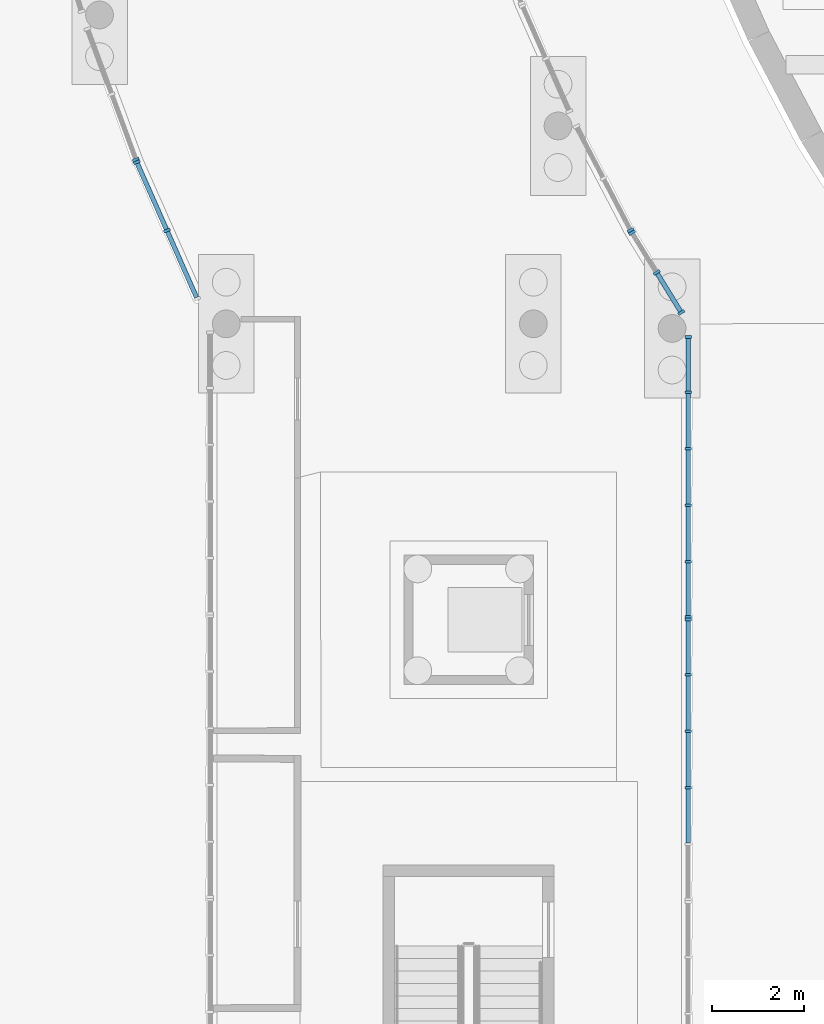
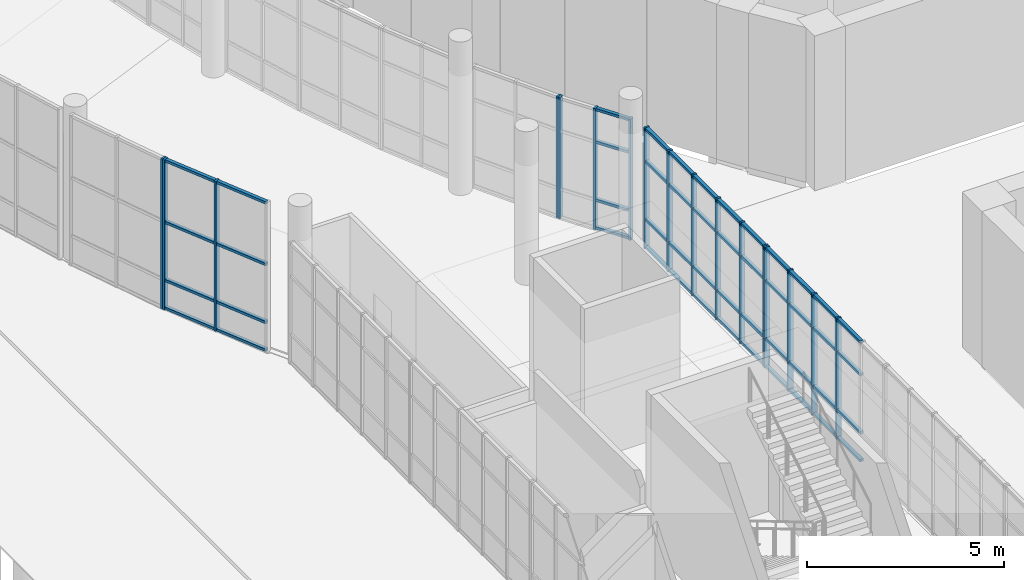
# One storey, part 15 of 110: 65 members, 6 elements without a shape of their own.
"""IFC4 building model written with IfcOpenShell, lengths in metres."""

from ifc_helpers import new_model, si_unit, direction, frame, origin, origin_2d, place, context, subcontext, project, spatial, rectangle, extrude, material, layer, layer_set, material_profile, profile_set, type_object, element, aggregate, save


model = new_model("IFC4")

# Units and contexts
model_context = context("Model", 3, precision=1e-05, world=origin(), true_north=direction((0.0, 1.0)))
body_context = subcontext(model_context, "Body", "Model", "MODEL_VIEW")
ifc_project = project(units=[si_unit("LENGTHUNIT", "METRE"), si_unit("AREAUNIT", "SQUARE_METRE"), si_unit("VOLUMEUNIT", "CUBIC_METRE"), si_unit("PLANEANGLEUNIT", "RADIAN"), si_unit("MASSUNIT", "GRAM", prefix="KILO")], contexts=[model_context])

# Site, building, storey
site_placement = place(None, origin())
site = spatial("IfcSite", under=ifc_project, at=site_placement, CompositionType="ELEMENT")
building_placement = place(site_placement, origin())
building = spatial("IfcBuilding", under=site, at=building_placement, Name="Larchfold Concert Hall", CompositionType="ELEMENT")
storey_placement = place(building_placement, origin())
storey = spatial("IfcBuildingStorey", under=building, at=storey_placement, Name="L00", CompositionType="ELEMENT", Elevation=0.0)

# Curtain wall, members
ifc_material_1 = material(Name="Anodised graphite aluminium curtain wall", Category="aluminium")
ifc_layer = layer(ifc_material_1, 0.14990234375)
ifc_layer_set = layer_set([ifc_layer], Name="Anodised graphite aluminium curtain wall")
curtain_wall_type = type_object("IfcCurtainWallType", Name="Curtain wall WG", PredefinedType="NOTDEFINED", material=ifc_layer_set)
curtain_wall_1_placement = place(storey_placement, origin())
curtain_wall_1 = element("IfcCurtainWall", 1, at=curtain_wall_1_placement, inside=storey, type_object=curtain_wall_type, Name="Curtain wall CW0061", PredefinedType="NOTDEFINED")
ifc_material_2 = material(Name="Anodised graphite aluminium mullion", Category="aluminium")
ifc_material_profile_1 = material_profile(ifc_material_2, rectangle(XDim=0.14990234375, YDim=0.06005859375, at=origin_2d()))
ifc_profile_set_1 = profile_set([ifc_material_profile_1], Name="Anodised graphite aluminium mullion")
member_type_1 = type_object("IfcMemberType", Name="Aluminium mullion 60x150", PredefinedType="MULLION", material=ifc_profile_set_1)
member_1_placement = place(storey_placement, frame((20.59765625, 59.64599609375, 0.0), z_axis=(0.0, 0.0, 1.0), x_axis=(-0.851674367978, -0.52407134145, 0.0)))
member_1 = element("IfcMember", 2, at=member_1_placement, type_object=member_type_1, Name="CW0061 mullion 1", PredefinedType="MULLION", context=body_context, shape_type="SweptSolid", body=[
    extrude(rectangle(XDim=0.14990234375, YDim=0.06005859375, at=origin_2d()), origin(), (0.0, 0.0, 1.0), 3.75),
])
member_2_placement = place(storey_placement, frame((20.06591796875, 60.509765625, 0.0), z_axis=(0.0, 0.0, 1.0), x_axis=(-0.851674367978, -0.52407134145, 0.0)))
member_2 = element("IfcMember", 3, at=member_2_placement, type_object=member_type_1, Name="CW0061 mullion 2", PredefinedType="MULLION", context=body_context, shape_type="SweptSolid", body=[
    extrude(rectangle(XDim=0.14990234375, YDim=0.06005859375, at=origin_2d()), origin(), (0.0, 0.0, 1.0), 3.75),
])
member_3_placement = place(storey_placement, frame((19.5341796875, 61.373779296875, 0.0), z_axis=(0.0, 0.0, 1.0), x_axis=(-0.851674367978, -0.52407134145, 0.0)))
member_3 = element("IfcMember", 4, at=member_3_placement, type_object=member_type_1, Name="CW0061 mullion 3", PredefinedType="MULLION", context=body_context, shape_type="SweptSolid", body=[
    extrude(rectangle(XDim=0.14990234375, YDim=0.06005859375, at=origin_2d()), origin(), (0.0, 0.0, 1.0), 3.75),
])

# Curtain wall, member
curtain_wall_2_placement = place(storey_placement, origin())
curtain_wall_2 = element("IfcCurtainWall", 5, at=curtain_wall_2_placement, inside=storey, type_object=curtain_wall_type, Name="Curtain wall CW0062", PredefinedType="NOTDEFINED")
member_4_placement = place(storey_placement, frame((19.504638671875, 61.426025390625, 0.0), z_axis=(0.0, 0.0, 1.0), x_axis=(-0.886258835455, -0.463190324357, 0.0)))
member_4 = element("IfcMember", 6, at=member_4_placement, type_object=member_type_1, Name="CW0062 mullion 1", PredefinedType="MULLION", context=body_context, shape_type="SweptSolid", body=[
    extrude(rectangle(XDim=0.14990234375, YDim=0.06005859375, at=origin_2d()), origin(), (0.0, 0.0, 1.0), 3.75),
])
aggregate(curtain_wall_2, [member_4])

curtain_wall_3_placement = place(storey_placement, origin())
curtain_wall_3 = element("IfcCurtainWall", 7, at=curtain_wall_3_placement, inside=storey, type_object=curtain_wall_type, Name="Curtain wall CW0125", PredefinedType="NOTDEFINED")
member_5_placement = place(storey_placement, frame((8.80029296875, 62.95068359375, 0.0), z_axis=(0.0, 0.0, 1.0), x_axis=(0.938015834921, 0.346592402451, 0.0)))
member_5 = element("IfcMember", 8, at=member_5_placement, type_object=member_type_1, Name="CW0125 mullion 3", PredefinedType="MULLION", context=body_context, shape_type="SweptSolid", body=[
    extrude(rectangle(XDim=0.14990234375, YDim=0.06005859375, at=origin_2d()), origin(), (0.0, 0.0, 1.0), 4.64990234375),
])
aggregate(curtain_wall_3, [member_5])

# Curtain wall, members
curtain_wall_4_placement = place(storey_placement, origin())
curtain_wall_4 = element("IfcCurtainWall", 9, at=curtain_wall_4_placement, inside=storey, type_object=curtain_wall_type, Name="Curtain wall CW0126", PredefinedType="NOTDEFINED")
member_6_placement = place(storey_placement, frame((8.822998046875, 62.895263671875, 0.0), z_axis=(0.0, 0.0, 1.0), x_axis=(0.914703196701, 0.404126294549, 0.0)))
member_6 = element("IfcMember", 10, at=member_6_placement, type_object=member_type_1, Name="CW0126 mullion 1", PredefinedType="MULLION", context=body_context, shape_type="SweptSolid", body=[
    extrude(rectangle(XDim=0.14990234375, YDim=0.06005859375, at=origin_2d()), origin(), (0.0, 0.0, 1.0), 4.64990234375),
])
member_7_placement = place(storey_placement, frame((9.475341796875, 61.41845703125, 0.0), z_axis=(0.0, 0.0, 1.0), x_axis=(0.914703196701, 0.404126294549, 0.0)))
member_7 = element("IfcMember", 11, at=member_7_placement, type_object=member_type_1, Name="CW0126 mullion 2", PredefinedType="MULLION", context=body_context, shape_type="SweptSolid", body=[
    extrude(rectangle(XDim=0.14990234375, YDim=0.06005859375, at=origin_2d()), origin(), (0.0, 0.0, 1.0), 4.64990234375),
])

curtain_wall_5_placement = place(storey_placement, origin())
curtain_wall_5 = element("IfcCurtainWall", 12, at=curtain_wall_5_placement, inside=storey, type_object=curtain_wall_type, Name="Curtain wall CW0135", PredefinedType="NOTDEFINED")
member_8_placement = place(storey_placement, frame((20.748779296875, 49.368896484375, 0.0), z_axis=(0.0, 0.0, 1.0), x_axis=(-1.0, 0.0, 0.0)))
member_8 = element("IfcMember", 13, at=member_8_placement, type_object=member_type_1, Name="CW0135 mullion 3", PredefinedType="MULLION", context=body_context, shape_type="SweptSolid", body=[
    extrude(rectangle(XDim=0.14990234375, YDim=0.06005859375, at=origin_2d()), origin(), (0.0, 0.0, 1.0), 3.75),
])
member_9_placement = place(storey_placement, frame((20.748779296875, 50.5908203125, 0.0), z_axis=(0.0, 0.0, 1.0), x_axis=(-1.0, 0.0, 0.0)))
member_9 = element("IfcMember", 14, at=member_9_placement, type_object=member_type_1, Name="CW0135 mullion 4", PredefinedType="MULLION", context=body_context, shape_type="SweptSolid", body=[
    extrude(rectangle(XDim=0.14990234375, YDim=0.06005859375, at=origin_2d()), origin(), (0.0, 0.0, 1.0), 3.75),
])
member_10_placement = place(storey_placement, frame((20.748779296875, 51.8125, 0.0), z_axis=(0.0, 0.0, 1.0), x_axis=(-1.0, 0.0, 0.0)))
member_10 = element("IfcMember", 15, at=member_10_placement, type_object=member_type_1, Name="CW0135 mullion 5", PredefinedType="MULLION", context=body_context, shape_type="SweptSolid", body=[
    extrude(rectangle(XDim=0.14990234375, YDim=0.06005859375, at=origin_2d()), origin(), (0.0, 0.0, 1.0), 3.75),
])
member_11_placement = place(storey_placement, frame((20.748779296875, 53.004150390625, 0.0), z_axis=(0.0, 0.0, 1.0), x_axis=(-1.0, 0.0, 0.0)))
member_11 = element("IfcMember", 16, at=member_11_placement, type_object=member_type_1, Name="CW0135 mullion 6", PredefinedType="MULLION", context=body_context, shape_type="SweptSolid", body=[
    extrude(rectangle(XDim=0.14990234375, YDim=0.06005859375, at=origin_2d()), origin(), (0.0, 0.0, 1.0), 3.75),
])

curtain_wall_6_placement = place(storey_placement, origin())
curtain_wall_6 = element("IfcCurtainWall", 17, at=curtain_wall_6_placement, inside=storey, type_object=curtain_wall_type, Name="Curtain wall CW0136", PredefinedType="NOTDEFINED")
member_12_placement = place(storey_placement, frame((20.748779296875, 53.064208984375, 0.0), z_axis=(0.0, 0.0, 1.0), x_axis=(-1.0, 0.0, 0.0)))
member_12 = element("IfcMember", 18, at=member_12_placement, type_object=member_type_1, Name="CW0136 mullion 1", PredefinedType="MULLION", context=body_context, shape_type="SweptSolid", body=[
    extrude(rectangle(XDim=0.14990234375, YDim=0.06005859375, at=origin_2d()), origin(), (0.0, 0.0, 1.0), 3.75),
])
member_13_placement = place(storey_placement, frame((20.748779296875, 54.255859375, 0.0), z_axis=(0.0, 0.0, 1.0), x_axis=(-1.0, 0.0, 0.0)))
member_13 = element("IfcMember", 19, at=member_13_placement, type_object=member_type_1, Name="CW0136 mullion 2", PredefinedType="MULLION", context=body_context, shape_type="SweptSolid", body=[
    extrude(rectangle(XDim=0.14990234375, YDim=0.06005859375, at=origin_2d()), origin(), (0.0, 0.0, 1.0), 3.75),
])
member_14_placement = place(storey_placement, frame((20.748779296875, 55.477783203125, 0.0), z_axis=(0.0, 0.0, 1.0), x_axis=(-1.0, 0.0, 0.0)))
member_14 = element("IfcMember", 20, at=member_14_placement, type_object=member_type_1, Name="CW0136 mullion 3", PredefinedType="MULLION", context=body_context, shape_type="SweptSolid", body=[
    extrude(rectangle(XDim=0.14990234375, YDim=0.06005859375, at=origin_2d()), origin(), (0.0, 0.0, 1.0), 3.75),
])
member_15_placement = place(storey_placement, frame((20.748779296875, 56.699462890625, 0.0), z_axis=(0.0, 0.0, 1.0), x_axis=(-1.0, 0.0, 0.0)))
member_15 = element("IfcMember", 21, at=member_15_placement, type_object=member_type_1, Name="CW0136 mullion 4", PredefinedType="MULLION", context=body_context, shape_type="SweptSolid", body=[
    extrude(rectangle(XDim=0.14990234375, YDim=0.06005859375, at=origin_2d()), origin(), (0.0, 0.0, 1.0), 3.75),
])
member_16_placement = place(storey_placement, frame((20.748779296875, 57.92138671875, 0.0), z_axis=(0.0, 0.0, 1.0), x_axis=(-1.0, 0.0, 0.0)))
member_16 = element("IfcMember", 22, at=member_16_placement, type_object=member_type_1, Name="CW0136 mullion 5", PredefinedType="MULLION", context=body_context, shape_type="SweptSolid", body=[
    extrude(rectangle(XDim=0.14990234375, YDim=0.06005859375, at=origin_2d()), origin(), (0.0, 0.0, 1.0), 3.75),
])
member_17_placement = place(storey_placement, frame((20.748779296875, 59.113037109375, 0.0), z_axis=(0.0, 0.0, 1.0), x_axis=(-1.0, 0.0, 0.0)))
member_17 = element("IfcMember", 23, at=member_17_placement, type_object=member_type_1, Name="CW0136 mullion 6", PredefinedType="MULLION", context=body_context, shape_type="SweptSolid", body=[
    extrude(rectangle(XDim=0.14990234375, YDim=0.06005859375, at=origin_2d()), origin(), (0.0, 0.0, 1.0), 3.75),
])

# Member
ifc_material_3 = material(Name="Anodised graphite aluminium transom", Category="aluminium")
ifc_material_profile_2 = material_profile(ifc_material_3, rectangle(XDim=0.10009765625, YDim=0.080078125, at=origin_2d()))
ifc_profile_set_2 = profile_set([ifc_material_profile_2], Name="Anodised graphite aluminium transom")
member_type_2 = type_object("IfcMemberType", Name="Aluminium transom 80x100", PredefinedType="USERDEFINED", material=ifc_profile_set_2)
member_18_placement = place(storey_placement, frame((20.581787109375, 59.67138671875, 0.0400390625), z_axis=(-0.524054615194, 0.851684660126, 0.0), x_axis=(-0.851684660126, -0.524054615194, 0.0)))
member_18 = element("IfcMember", 24, at=member_18_placement, type_object=member_type_2, Name="CW0061 transom 1.1", ObjectType="TRANSOM", PredefinedType="USERDEFINED", context=body_context, shape_type="SweptSolid", body=[
    extrude(rectangle(XDim=0.10009765625, YDim=0.080078125, at=origin_2d()), origin(), (0.0, 0.0, 1.0), 0.95458984375),
])

member_19_placement = place(storey_placement, frame((20.581787109375, 59.67138671875, 0.89990234375), z_axis=(-0.524054615194, 0.851684660126, 0.0), x_axis=(-0.851684660126, -0.524054615194, 0.0)))
member_19 = element("IfcMember", 25, at=member_19_placement, type_object=member_type_2, Name="CW0061 transom 1.2", ObjectType="TRANSOM", PredefinedType="USERDEFINED", context=body_context, shape_type="SweptSolid", body=[
    extrude(rectangle(XDim=0.10009765625, YDim=0.080078125, at=origin_2d()), origin(), (0.0, 0.0, 1.0), 0.95458984375),
])

member_20_placement = place(storey_placement, frame((20.581787109375, 59.67138671875, 2.699951171875), z_axis=(-0.524054615194, 0.851684660126, 0.0), x_axis=(-0.851684660126, -0.524054615194, 0.0)))
member_20 = element("IfcMember", 26, at=member_20_placement, type_object=member_type_2, Name="CW0061 transom 1.3", ObjectType="TRANSOM", PredefinedType="USERDEFINED", context=body_context, shape_type="SweptSolid", body=[
    extrude(rectangle(XDim=0.10009765625, YDim=0.080078125, at=origin_2d()), origin(), (0.0, 0.0, 1.0), 0.95458984375),
])

member_21_placement = place(storey_placement, frame((20.581787109375, 59.67138671875, 3.7099609375), z_axis=(-0.524054615194, 0.851684660126, 0.0), x_axis=(-0.851684660126, -0.524054615194, 0.0)))
member_21 = element("IfcMember", 27, at=member_21_placement, type_object=member_type_2, Name="CW0061 transom 1.4", ObjectType="TRANSOM", PredefinedType="USERDEFINED", context=body_context, shape_type="SweptSolid", body=[
    extrude(rectangle(XDim=0.10009765625, YDim=0.080078125, at=origin_2d()), origin(), (0.0, 0.0, 1.0), 0.95458984375),
])

aggregate(curtain_wall_1, [member_1, member_2, member_3, member_18, member_19, member_20, member_21])

member_22_placement = place(storey_placement, frame((8.8349609375, 62.86767578125, 0.0400390625), z_axis=(0.404111897501, -0.914709557345, 0.0), x_axis=(0.914709557345, 0.404111897501, 0.0)))
member_22 = element("IfcMember", 28, at=member_22_placement, type_object=member_type_2, Name="CW0126 transom 1.1", ObjectType="TRANSOM", PredefinedType="USERDEFINED", context=body_context, shape_type="SweptSolid", body=[
    extrude(rectangle(XDim=0.10009765625, YDim=0.080078125, at=origin_2d()), origin(), (0.0, 0.0, 1.0), 1.554443359375),
])

member_23_placement = place(storey_placement, frame((8.8349609375, 62.86767578125, 0.89990234375), z_axis=(0.404111897501, -0.914709557345, 0.0), x_axis=(0.914709557345, 0.404111897501, 0.0)))
member_23 = element("IfcMember", 29, at=member_23_placement, type_object=member_type_2, Name="CW0126 transom 1.2", ObjectType="TRANSOM", PredefinedType="USERDEFINED", context=body_context, shape_type="SweptSolid", body=[
    extrude(rectangle(XDim=0.10009765625, YDim=0.080078125, at=origin_2d()), origin(), (0.0, 0.0, 1.0), 1.554443359375),
])

member_24_placement = place(storey_placement, frame((8.8349609375, 62.86767578125, 2.699951171875), z_axis=(0.404111897501, -0.914709557345, 0.0), x_axis=(0.914709557345, 0.404111897501, 0.0)))
member_24 = element("IfcMember", 30, at=member_24_placement, type_object=member_type_2, Name="CW0126 transom 1.3", ObjectType="TRANSOM", PredefinedType="USERDEFINED", context=body_context, shape_type="SweptSolid", body=[
    extrude(rectangle(XDim=0.10009765625, YDim=0.080078125, at=origin_2d()), origin(), (0.0, 0.0, 1.0), 1.554443359375),
])

member_25_placement = place(storey_placement, frame((8.8349609375, 62.86767578125, 4.60986328125), z_axis=(0.404111897501, -0.914709557345, 0.0), x_axis=(0.914709557345, 0.404111897501, 0.0)))
member_25 = element("IfcMember", 31, at=member_25_placement, type_object=member_type_2, Name="CW0126 transom 1.4", ObjectType="TRANSOM", PredefinedType="USERDEFINED", context=body_context, shape_type="SweptSolid", body=[
    extrude(rectangle(XDim=0.10009765625, YDim=0.080078125, at=origin_2d()), origin(), (0.0, 0.0, 1.0), 1.554443359375),
])

member_26_placement = place(storey_placement, frame((9.487548828125, 61.39111328125, 0.0400390625), z_axis=(0.404111897501, -0.914709557345, 0.0), x_axis=(0.914709557345, 0.404111897501, 0.0)))
member_26 = element("IfcMember", 32, at=member_26_placement, type_object=member_type_2, Name="CW0126 transom 2.1", ObjectType="TRANSOM", PredefinedType="USERDEFINED", context=body_context, shape_type="SweptSolid", body=[
    extrude(rectangle(XDim=0.10009765625, YDim=0.080078125, at=origin_2d()), origin(), (0.0, 0.0, 1.0), 1.554443359375),
])

member_27_placement = place(storey_placement, frame((9.487548828125, 61.39111328125, 0.89990234375), z_axis=(0.404111897501, -0.914709557345, 0.0), x_axis=(0.914709557345, 0.404111897501, 0.0)))
member_27 = element("IfcMember", 33, at=member_27_placement, type_object=member_type_2, Name="CW0126 transom 2.2", ObjectType="TRANSOM", PredefinedType="USERDEFINED", context=body_context, shape_type="SweptSolid", body=[
    extrude(rectangle(XDim=0.10009765625, YDim=0.080078125, at=origin_2d()), origin(), (0.0, 0.0, 1.0), 1.554443359375),
])

member_28_placement = place(storey_placement, frame((9.487548828125, 61.39111328125, 2.699951171875), z_axis=(0.404111897501, -0.914709557345, 0.0), x_axis=(0.914709557345, 0.404111897501, 0.0)))
member_28 = element("IfcMember", 34, at=member_28_placement, type_object=member_type_2, Name="CW0126 transom 2.3", ObjectType="TRANSOM", PredefinedType="USERDEFINED", context=body_context, shape_type="SweptSolid", body=[
    extrude(rectangle(XDim=0.10009765625, YDim=0.080078125, at=origin_2d()), origin(), (0.0, 0.0, 1.0), 1.554443359375),
])

member_29_placement = place(storey_placement, frame((9.487548828125, 61.39111328125, 4.60986328125), z_axis=(0.404111897501, -0.914709557345, 0.0), x_axis=(0.914709557345, 0.404111897501, 0.0)))
member_29 = element("IfcMember", 35, at=member_29_placement, type_object=member_type_2, Name="CW0126 transom 2.4", ObjectType="TRANSOM", PredefinedType="USERDEFINED", context=body_context, shape_type="SweptSolid", body=[
    extrude(rectangle(XDim=0.10009765625, YDim=0.080078125, at=origin_2d()), origin(), (0.0, 0.0, 1.0), 1.554443359375),
])

aggregate(curtain_wall_4, [member_6, member_7, member_22, member_23, member_24, member_25, member_26, member_27, member_28, member_29])

member_30_placement = place(storey_placement, frame((20.748779296875, 48.17724609375, 0.0400390625), z_axis=(0.0, 1.0, 0.0), x_axis=(-1.0, 0.0, 0.0)))
member_30 = element("IfcMember", 36, at=member_30_placement, type_object=member_type_2, Name="CW0135 transom 2.1", ObjectType="TRANSOM", PredefinedType="USERDEFINED", context=body_context, shape_type="SweptSolid", body=[
    extrude(rectangle(XDim=0.10009765625, YDim=0.080078125, at=origin_2d()), origin(), (0.0, 0.0, 1.0), 1.161865234375),
])

member_31_placement = place(storey_placement, frame((20.748779296875, 48.17724609375, 0.89990234375), z_axis=(0.0, 1.0, 0.0), x_axis=(-1.0, 0.0, 0.0)))
member_31 = element("IfcMember", 37, at=member_31_placement, type_object=member_type_2, Name="CW0135 transom 2.2", ObjectType="TRANSOM", PredefinedType="USERDEFINED", context=body_context, shape_type="SweptSolid", body=[
    extrude(rectangle(XDim=0.10009765625, YDim=0.080078125, at=origin_2d()), origin(), (0.0, 0.0, 1.0), 1.161865234375),
])

member_32_placement = place(storey_placement, frame((20.748779296875, 48.17724609375, 2.699951171875), z_axis=(0.0, 1.0, 0.0), x_axis=(-1.0, 0.0, 0.0)))
member_32 = element("IfcMember", 38, at=member_32_placement, type_object=member_type_2, Name="CW0135 transom 2.3", ObjectType="TRANSOM", PredefinedType="USERDEFINED", context=body_context, shape_type="SweptSolid", body=[
    extrude(rectangle(XDim=0.10009765625, YDim=0.080078125, at=origin_2d()), origin(), (0.0, 0.0, 1.0), 1.161865234375),
])

member_33_placement = place(storey_placement, frame((20.748779296875, 48.17724609375, 3.7099609375), z_axis=(0.0, 1.0, 0.0), x_axis=(-1.0, 0.0, 0.0)))
member_33 = element("IfcMember", 39, at=member_33_placement, type_object=member_type_2, Name="CW0135 transom 2.4", ObjectType="TRANSOM", PredefinedType="USERDEFINED", context=body_context, shape_type="SweptSolid", body=[
    extrude(rectangle(XDim=0.10009765625, YDim=0.080078125, at=origin_2d()), origin(), (0.0, 0.0, 1.0), 1.161865234375),
])

member_34_placement = place(storey_placement, frame((20.748779296875, 49.39892578125, 0.0400390625), z_axis=(0.0, 1.0, 0.0), x_axis=(-1.0, 0.0, 0.0)))
member_34 = element("IfcMember", 40, at=member_34_placement, type_object=member_type_2, Name="CW0135 transom 3.1", ObjectType="TRANSOM", PredefinedType="USERDEFINED", context=body_context, shape_type="SweptSolid", body=[
    extrude(rectangle(XDim=0.10009765625, YDim=0.080078125, at=origin_2d()), origin(), (0.0, 0.0, 1.0), 1.161865234375),
])

member_35_placement = place(storey_placement, frame((20.748779296875, 49.39892578125, 0.89990234375), z_axis=(0.0, 1.0, 0.0), x_axis=(-1.0, 0.0, 0.0)))
member_35 = element("IfcMember", 41, at=member_35_placement, type_object=member_type_2, Name="CW0135 transom 3.2", ObjectType="TRANSOM", PredefinedType="USERDEFINED", context=body_context, shape_type="SweptSolid", body=[
    extrude(rectangle(XDim=0.10009765625, YDim=0.080078125, at=origin_2d()), origin(), (0.0, 0.0, 1.0), 1.161865234375),
])

member_36_placement = place(storey_placement, frame((20.748779296875, 49.39892578125, 2.699951171875), z_axis=(0.0, 1.0, 0.0), x_axis=(-1.0, 0.0, 0.0)))
member_36 = element("IfcMember", 42, at=member_36_placement, type_object=member_type_2, Name="CW0135 transom 3.3", ObjectType="TRANSOM", PredefinedType="USERDEFINED", context=body_context, shape_type="SweptSolid", body=[
    extrude(rectangle(XDim=0.10009765625, YDim=0.080078125, at=origin_2d()), origin(), (0.0, 0.0, 1.0), 1.161865234375),
])

member_37_placement = place(storey_placement, frame((20.748779296875, 49.39892578125, 3.7099609375), z_axis=(0.0, 1.0, 0.0), x_axis=(-1.0, 0.0, 0.0)))
member_37 = element("IfcMember", 43, at=member_37_placement, type_object=member_type_2, Name="CW0135 transom 3.4", ObjectType="TRANSOM", PredefinedType="USERDEFINED", context=body_context, shape_type="SweptSolid", body=[
    extrude(rectangle(XDim=0.10009765625, YDim=0.080078125, at=origin_2d()), origin(), (0.0, 0.0, 1.0), 1.161865234375),
])

member_38_placement = place(storey_placement, frame((20.748779296875, 50.62060546875, 0.0400390625), z_axis=(0.0, 1.0, 0.0), x_axis=(-1.0, 0.0, 0.0)))
member_38 = element("IfcMember", 44, at=member_38_placement, type_object=member_type_2, Name="CW0135 transom 4.1", ObjectType="TRANSOM", PredefinedType="USERDEFINED", context=body_context, shape_type="SweptSolid", body=[
    extrude(rectangle(XDim=0.10009765625, YDim=0.080078125, at=origin_2d()), origin(), (0.0, 0.0, 1.0), 1.161865234375),
])

member_39_placement = place(storey_placement, frame((20.748779296875, 50.62060546875, 0.89990234375), z_axis=(0.0, 1.0, 0.0), x_axis=(-1.0, 0.0, 0.0)))
member_39 = element("IfcMember", 45, at=member_39_placement, type_object=member_type_2, Name="CW0135 transom 4.2", ObjectType="TRANSOM", PredefinedType="USERDEFINED", context=body_context, shape_type="SweptSolid", body=[
    extrude(rectangle(XDim=0.10009765625, YDim=0.080078125, at=origin_2d()), origin(), (0.0, 0.0, 1.0), 1.161865234375),
])

member_40_placement = place(storey_placement, frame((20.748779296875, 50.62060546875, 2.699951171875), z_axis=(0.0, 1.0, 0.0), x_axis=(-1.0, 0.0, 0.0)))
member_40 = element("IfcMember", 46, at=member_40_placement, type_object=member_type_2, Name="CW0135 transom 4.3", ObjectType="TRANSOM", PredefinedType="USERDEFINED", context=body_context, shape_type="SweptSolid", body=[
    extrude(rectangle(XDim=0.10009765625, YDim=0.080078125, at=origin_2d()), origin(), (0.0, 0.0, 1.0), 1.161865234375),
])

member_41_placement = place(storey_placement, frame((20.748779296875, 50.62060546875, 3.7099609375), z_axis=(0.0, 1.0, 0.0), x_axis=(-1.0, 0.0, 0.0)))
member_41 = element("IfcMember", 47, at=member_41_placement, type_object=member_type_2, Name="CW0135 transom 4.4", ObjectType="TRANSOM", PredefinedType="USERDEFINED", context=body_context, shape_type="SweptSolid", body=[
    extrude(rectangle(XDim=0.10009765625, YDim=0.080078125, at=origin_2d()), origin(), (0.0, 0.0, 1.0), 1.161865234375),
])

member_42_placement = place(storey_placement, frame((20.748779296875, 51.842529296875, 0.0400390625), z_axis=(0.0, 1.0, 0.0), x_axis=(-1.0, 0.0, 0.0)))
member_42 = element("IfcMember", 48, at=member_42_placement, type_object=member_type_2, Name="CW0135 transom 5.1", ObjectType="TRANSOM", PredefinedType="USERDEFINED", context=body_context, shape_type="SweptSolid", body=[
    extrude(rectangle(XDim=0.10009765625, YDim=0.080078125, at=origin_2d()), origin(), (0.0, 0.0, 1.0), 1.131591796875),
])

member_43_placement = place(storey_placement, frame((20.748779296875, 51.842529296875, 0.89990234375), z_axis=(0.0, 1.0, 0.0), x_axis=(-1.0, 0.0, 0.0)))
member_43 = element("IfcMember", 49, at=member_43_placement, type_object=member_type_2, Name="CW0135 transom 5.2", ObjectType="TRANSOM", PredefinedType="USERDEFINED", context=body_context, shape_type="SweptSolid", body=[
    extrude(rectangle(XDim=0.10009765625, YDim=0.080078125, at=origin_2d()), origin(), (0.0, 0.0, 1.0), 1.131591796875),
])

member_44_placement = place(storey_placement, frame((20.748779296875, 51.842529296875, 2.699951171875), z_axis=(0.0, 1.0, 0.0), x_axis=(-1.0, 0.0, 0.0)))
member_44 = element("IfcMember", 50, at=member_44_placement, type_object=member_type_2, Name="CW0135 transom 5.3", ObjectType="TRANSOM", PredefinedType="USERDEFINED", context=body_context, shape_type="SweptSolid", body=[
    extrude(rectangle(XDim=0.10009765625, YDim=0.080078125, at=origin_2d()), origin(), (0.0, 0.0, 1.0), 1.131591796875),
])

member_45_placement = place(storey_placement, frame((20.748779296875, 51.842529296875, 3.7099609375), z_axis=(0.0, 1.0, 0.0), x_axis=(-1.0, 0.0, 0.0)))
member_45 = element("IfcMember", 51, at=member_45_placement, type_object=member_type_2, Name="CW0135 transom 5.4", ObjectType="TRANSOM", PredefinedType="USERDEFINED", context=body_context, shape_type="SweptSolid", body=[
    extrude(rectangle(XDim=0.10009765625, YDim=0.080078125, at=origin_2d()), origin(), (0.0, 0.0, 1.0), 1.131591796875),
])

aggregate(curtain_wall_5, [member_8, member_9, member_10, member_11, member_30, member_31, member_32, member_33, member_34, member_35, member_36, member_37, member_38, member_39, member_40, member_41, member_42, member_43, member_44, member_45])

member_46_placement = place(storey_placement, frame((20.748779296875, 53.09423828125, 0.0400390625), z_axis=(0.0, 1.0, 0.0), x_axis=(-1.0, 0.0, 0.0)))
member_46 = element("IfcMember", 52, at=member_46_placement, type_object=member_type_2, Name="CW0136 transom 1.1", ObjectType="TRANSOM", PredefinedType="USERDEFINED", context=body_context, shape_type="SweptSolid", body=[
    extrude(rectangle(XDim=0.10009765625, YDim=0.080078125, at=origin_2d()), origin(), (0.0, 0.0, 1.0), 1.1318359375),
])

member_47_placement = place(storey_placement, frame((20.748779296875, 53.09423828125, 0.89990234375), z_axis=(0.0, 1.0, 0.0), x_axis=(-1.0, 0.0, 0.0)))
member_47 = element("IfcMember", 53, at=member_47_placement, type_object=member_type_2, Name="CW0136 transom 1.2", ObjectType="TRANSOM", PredefinedType="USERDEFINED", context=body_context, shape_type="SweptSolid", body=[
    extrude(rectangle(XDim=0.10009765625, YDim=0.080078125, at=origin_2d()), origin(), (0.0, 0.0, 1.0), 1.1318359375),
])

member_48_placement = place(storey_placement, frame((20.748779296875, 53.09423828125, 2.699951171875), z_axis=(0.0, 1.0, 0.0), x_axis=(-1.0, 0.0, 0.0)))
member_48 = element("IfcMember", 54, at=member_48_placement, type_object=member_type_2, Name="CW0136 transom 1.3", ObjectType="TRANSOM", PredefinedType="USERDEFINED", context=body_context, shape_type="SweptSolid", body=[
    extrude(rectangle(XDim=0.10009765625, YDim=0.080078125, at=origin_2d()), origin(), (0.0, 0.0, 1.0), 1.1318359375),
])

member_49_placement = place(storey_placement, frame((20.748779296875, 53.09423828125, 3.7099609375), z_axis=(0.0, 1.0, 0.0), x_axis=(-1.0, 0.0, 0.0)))
member_49 = element("IfcMember", 55, at=member_49_placement, type_object=member_type_2, Name="CW0136 transom 1.4", ObjectType="TRANSOM", PredefinedType="USERDEFINED", context=body_context, shape_type="SweptSolid", body=[
    extrude(rectangle(XDim=0.10009765625, YDim=0.080078125, at=origin_2d()), origin(), (0.0, 0.0, 1.0), 1.1318359375),
])

member_50_placement = place(storey_placement, frame((20.748779296875, 54.285888671875, 0.0400390625), z_axis=(0.0, 1.0, 0.0), x_axis=(-1.0, 0.0, 0.0)))
member_50 = element("IfcMember", 56, at=member_50_placement, type_object=member_type_2, Name="CW0136 transom 2.1", ObjectType="TRANSOM", PredefinedType="USERDEFINED", context=body_context, shape_type="SweptSolid", body=[
    extrude(rectangle(XDim=0.10009765625, YDim=0.080078125, at=origin_2d()), origin(), (0.0, 0.0, 1.0), 1.161865234375),
])

member_51_placement = place(storey_placement, frame((20.748779296875, 54.285888671875, 0.89990234375), z_axis=(0.0, 1.0, 0.0), x_axis=(-1.0, 0.0, 0.0)))
member_51 = element("IfcMember", 57, at=member_51_placement, type_object=member_type_2, Name="CW0136 transom 2.2", ObjectType="TRANSOM", PredefinedType="USERDEFINED", context=body_context, shape_type="SweptSolid", body=[
    extrude(rectangle(XDim=0.10009765625, YDim=0.080078125, at=origin_2d()), origin(), (0.0, 0.0, 1.0), 1.161865234375),
])

member_52_placement = place(storey_placement, frame((20.748779296875, 54.285888671875, 2.699951171875), z_axis=(0.0, 1.0, 0.0), x_axis=(-1.0, 0.0, 0.0)))
member_52 = element("IfcMember", 58, at=member_52_placement, type_object=member_type_2, Name="CW0136 transom 2.3", ObjectType="TRANSOM", PredefinedType="USERDEFINED", context=body_context, shape_type="SweptSolid", body=[
    extrude(rectangle(XDim=0.10009765625, YDim=0.080078125, at=origin_2d()), origin(), (0.0, 0.0, 1.0), 1.161865234375),
])

member_53_placement = place(storey_placement, frame((20.748779296875, 54.285888671875, 3.7099609375), z_axis=(0.0, 1.0, 0.0), x_axis=(-1.0, 0.0, 0.0)))
member_53 = element("IfcMember", 59, at=member_53_placement, type_object=member_type_2, Name="CW0136 transom 2.4", ObjectType="TRANSOM", PredefinedType="USERDEFINED", context=body_context, shape_type="SweptSolid", body=[
    extrude(rectangle(XDim=0.10009765625, YDim=0.080078125, at=origin_2d()), origin(), (0.0, 0.0, 1.0), 1.161865234375),
])

member_54_placement = place(storey_placement, frame((20.748779296875, 55.5078125, 0.0400390625), z_axis=(0.0, 1.0, 0.0), x_axis=(-1.0, 0.0, 0.0)))
member_54 = element("IfcMember", 60, at=member_54_placement, type_object=member_type_2, Name="CW0136 transom 3.1", ObjectType="TRANSOM", PredefinedType="USERDEFINED", context=body_context, shape_type="SweptSolid", body=[
    extrude(rectangle(XDim=0.10009765625, YDim=0.080078125, at=origin_2d()), origin(), (0.0, 0.0, 1.0), 1.16162109375),
])

member_55_placement = place(storey_placement, frame((20.748779296875, 55.5078125, 0.89990234375), z_axis=(0.0, 1.0, 0.0), x_axis=(-1.0, 0.0, 0.0)))
member_55 = element("IfcMember", 61, at=member_55_placement, type_object=member_type_2, Name="CW0136 transom 3.2", ObjectType="TRANSOM", PredefinedType="USERDEFINED", context=body_context, shape_type="SweptSolid", body=[
    extrude(rectangle(XDim=0.10009765625, YDim=0.080078125, at=origin_2d()), origin(), (0.0, 0.0, 1.0), 1.16162109375),
])

member_56_placement = place(storey_placement, frame((20.748779296875, 55.5078125, 2.699951171875), z_axis=(0.0, 1.0, 0.0), x_axis=(-1.0, 0.0, 0.0)))
member_56 = element("IfcMember", 62, at=member_56_placement, type_object=member_type_2, Name="CW0136 transom 3.3", ObjectType="TRANSOM", PredefinedType="USERDEFINED", context=body_context, shape_type="SweptSolid", body=[
    extrude(rectangle(XDim=0.10009765625, YDim=0.080078125, at=origin_2d()), origin(), (0.0, 0.0, 1.0), 1.16162109375),
])

member_57_placement = place(storey_placement, frame((20.748779296875, 55.5078125, 3.7099609375), z_axis=(0.0, 1.0, 0.0), x_axis=(-1.0, 0.0, 0.0)))
member_57 = element("IfcMember", 63, at=member_57_placement, type_object=member_type_2, Name="CW0136 transom 3.4", ObjectType="TRANSOM", PredefinedType="USERDEFINED", context=body_context, shape_type="SweptSolid", body=[
    extrude(rectangle(XDim=0.10009765625, YDim=0.080078125, at=origin_2d()), origin(), (0.0, 0.0, 1.0), 1.16162109375),
])

member_58_placement = place(storey_placement, frame((20.748779296875, 56.7294921875, 0.0400390625), z_axis=(0.0, 1.0, 0.0), x_axis=(-1.0, 0.0, 0.0)))
member_58 = element("IfcMember", 64, at=member_58_placement, type_object=member_type_2, Name="CW0136 transom 4.1", ObjectType="TRANSOM", PredefinedType="USERDEFINED", context=body_context, shape_type="SweptSolid", body=[
    extrude(rectangle(XDim=0.10009765625, YDim=0.080078125, at=origin_2d()), origin(), (0.0, 0.0, 1.0), 1.161865234375),
])

member_59_placement = place(storey_placement, frame((20.748779296875, 56.7294921875, 0.89990234375), z_axis=(0.0, 1.0, 0.0), x_axis=(-1.0, 0.0, 0.0)))
member_59 = element("IfcMember", 65, at=member_59_placement, type_object=member_type_2, Name="CW0136 transom 4.2", ObjectType="TRANSOM", PredefinedType="USERDEFINED", context=body_context, shape_type="SweptSolid", body=[
    extrude(rectangle(XDim=0.10009765625, YDim=0.080078125, at=origin_2d()), origin(), (0.0, 0.0, 1.0), 1.161865234375),
])

member_60_placement = place(storey_placement, frame((20.748779296875, 56.7294921875, 2.699951171875), z_axis=(0.0, 1.0, 0.0), x_axis=(-1.0, 0.0, 0.0)))
member_60 = element("IfcMember", 66, at=member_60_placement, type_object=member_type_2, Name="CW0136 transom 4.3", ObjectType="TRANSOM", PredefinedType="USERDEFINED", context=body_context, shape_type="SweptSolid", body=[
    extrude(rectangle(XDim=0.10009765625, YDim=0.080078125, at=origin_2d()), origin(), (0.0, 0.0, 1.0), 1.161865234375),
])

member_61_placement = place(storey_placement, frame((20.748779296875, 56.7294921875, 3.7099609375), z_axis=(0.0, 1.0, 0.0), x_axis=(-1.0, 0.0, 0.0)))
member_61 = element("IfcMember", 67, at=member_61_placement, type_object=member_type_2, Name="CW0136 transom 4.4", ObjectType="TRANSOM", PredefinedType="USERDEFINED", context=body_context, shape_type="SweptSolid", body=[
    extrude(rectangle(XDim=0.10009765625, YDim=0.080078125, at=origin_2d()), origin(), (0.0, 0.0, 1.0), 1.161865234375),
])

member_62_placement = place(storey_placement, frame((20.748779296875, 57.951171875, 0.0400390625), z_axis=(0.0, 1.0, 0.0), x_axis=(-1.0, 0.0, 0.0)))
member_62 = element("IfcMember", 68, at=member_62_placement, type_object=member_type_2, Name="CW0136 transom 5.1", ObjectType="TRANSOM", PredefinedType="USERDEFINED", context=body_context, shape_type="SweptSolid", body=[
    extrude(rectangle(XDim=0.10009765625, YDim=0.080078125, at=origin_2d()), origin(), (0.0, 0.0, 1.0), 1.1318359375),
])

member_63_placement = place(storey_placement, frame((20.748779296875, 57.951171875, 0.89990234375), z_axis=(0.0, 1.0, 0.0), x_axis=(-1.0, 0.0, 0.0)))
member_63 = element("IfcMember", 69, at=member_63_placement, type_object=member_type_2, Name="CW0136 transom 5.2", ObjectType="TRANSOM", PredefinedType="USERDEFINED", context=body_context, shape_type="SweptSolid", body=[
    extrude(rectangle(XDim=0.10009765625, YDim=0.080078125, at=origin_2d()), origin(), (0.0, 0.0, 1.0), 1.1318359375),
])

member_64_placement = place(storey_placement, frame((20.748779296875, 57.951171875, 2.699951171875), z_axis=(0.0, 1.0, 0.0), x_axis=(-1.0, 0.0, 0.0)))
member_64 = element("IfcMember", 70, at=member_64_placement, type_object=member_type_2, Name="CW0136 transom 5.3", ObjectType="TRANSOM", PredefinedType="USERDEFINED", context=body_context, shape_type="SweptSolid", body=[
    extrude(rectangle(XDim=0.10009765625, YDim=0.080078125, at=origin_2d()), origin(), (0.0, 0.0, 1.0), 1.1318359375),
])

member_65_placement = place(storey_placement, frame((20.748779296875, 57.951171875, 3.7099609375), z_axis=(0.0, 1.0, 0.0), x_axis=(-1.0, 0.0, 0.0)))
member_65 = element("IfcMember", 71, at=member_65_placement, type_object=member_type_2, Name="CW0136 transom 5.4", ObjectType="TRANSOM", PredefinedType="USERDEFINED", context=body_context, shape_type="SweptSolid", body=[
    extrude(rectangle(XDim=0.10009765625, YDim=0.080078125, at=origin_2d()), origin(), (0.0, 0.0, 1.0), 1.1318359375),
])

aggregate(curtain_wall_6, [member_12, member_13, member_14, member_15, member_16, member_17, member_46, member_47, member_48, member_49, member_50, member_51, member_52, member_53, member_54, member_55, member_56, member_57, member_58, member_59, member_60, member_61, member_62, member_63, member_64, member_65])

save(model, "model.ifc")
